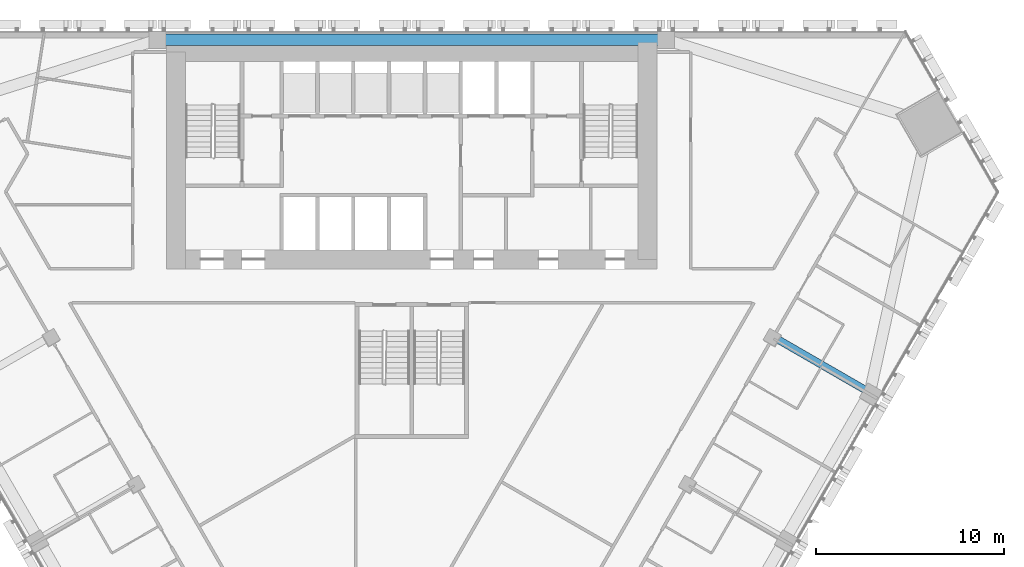
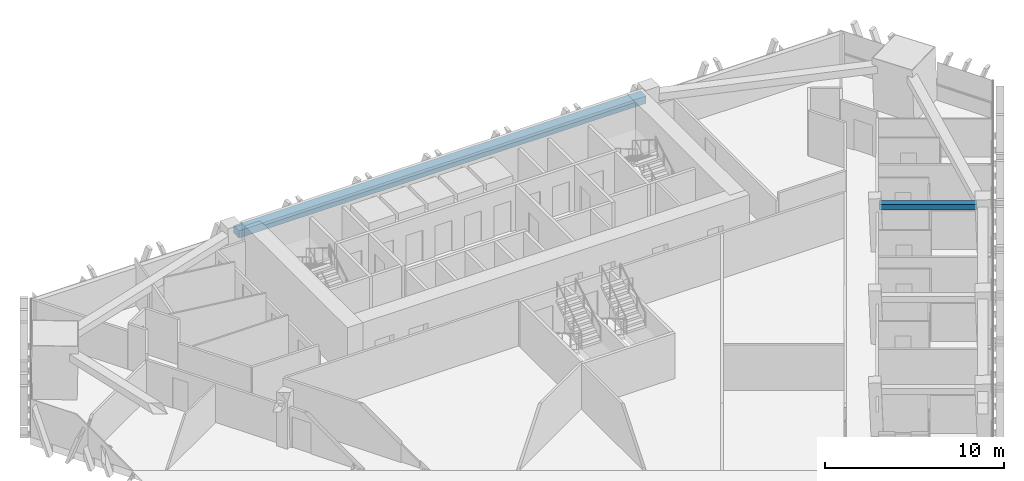
# One storey, part 7 of 18: 2 beams.
"""IFC4 building model written with IfcOpenShell, lengths in metres."""

from ifc_helpers import new_model, si_unit, direction, frame, origin, origin_2d, place, context, subcontext, project, spatial, rectangle, extrude, material, material_profile, profile_set, type_object, element, save


model = new_model("IFC4")

# Units and contexts
model_context = context("Model", 3, precision=1e-05, world=origin(), true_north=direction((0.0, 1.0)))
body_context = subcontext(model_context, "Body", "Model", "MODEL_VIEW")
ifc_project = project(units=[si_unit("LENGTHUNIT", "METRE"), si_unit("AREAUNIT", "SQUARE_METRE"), si_unit("VOLUMEUNIT", "CUBIC_METRE"), si_unit("PLANEANGLEUNIT", "RADIAN"), si_unit("MASSUNIT", "GRAM", prefix="KILO")], contexts=[model_context])

# Site, building, storey
site_placement = place(None, origin())
site = spatial("IfcSite", under=ifc_project, at=site_placement, CompositionType="ELEMENT")
building_placement = place(site_placement, origin())
building = spatial("IfcBuilding", under=site, at=building_placement, Name="Altiplano Prism Tower", CompositionType="ELEMENT")
storey_placement = place(building_placement, frame((0.0, 0.0, 34.199951171875)))
storey = spatial("IfcBuildingStorey", under=building, at=storey_placement, Name="L07", CompositionType="ELEMENT", Elevation=34.199951171875)

# Beams
ifc_material = material(Name="Concrete C60/75", Category="concrete")
ifc_material_profile_1 = material_profile(ifc_material, rectangle(XDim=0.60009765625, YDim=0.5, at=origin_2d()), Name="Edge beam 600x500")
ifc_profile_set_1 = profile_set([ifc_material_profile_1], Name="Concrete C60/75")
beam_type_1 = type_object("IfcBeamType", Name="Edge beam 600x500", PredefinedType="SPANDREL", material=ifc_profile_set_1)
beam_1_placement = place(storey_placement, frame((98.169921875, 104.550048828125, 2.85009765625), z_axis=(-1.0, 0.0, 0.0), x_axis=(0.0, -1.0, 0.0)))
element("IfcBeam", 1, at=beam_1_placement, inside=storey, type_object=beam_type_1, Name="Edge beam P01-P04 L08", PredefinedType="SPANDREL", context=body_context, shape_type="SweptSolid", body=[
    extrude(rectangle(XDim=0.60009765625, YDim=0.5, at=origin_2d()), origin(), (0.0, 0.0, 1.0), 26.33984375),
])
ifc_material_profile_2 = material_profile(ifc_material, rectangle(XDim=0.39990234375, YDim=0.39990234375, at=origin_2d()), Name="Tie beam 400x400")
ifc_profile_set_2 = profile_set([ifc_material_profile_2], Name="Concrete C60/75")
beam_type_2 = type_object("IfcBeamType", Name="Tie beam 400x400", PredefinedType="BEAM", material=ifc_profile_set_2)
beam_2_placement = place(storey_placement, frame((104.2666015625, 88.741943359375, 2.900146484375), z_axis=(0.866031549307, -0.499989355492, 0.0), x_axis=(0.499989355492, 0.866031549307, 0.0)))
element("IfcBeam", 2, at=beam_2_placement, inside=storey, type_object=beam_type_2, Name="Tie beam I24 L08", PredefinedType="BEAM", context=body_context, shape_type="SweptSolid", body=[
    extrude(rectangle(XDim=0.39990234375, YDim=0.39990234375, at=origin_2d()), origin(), (0.0, 0.0, 1.0), 5.48974609375),
])

save(model, "model.ifc")
